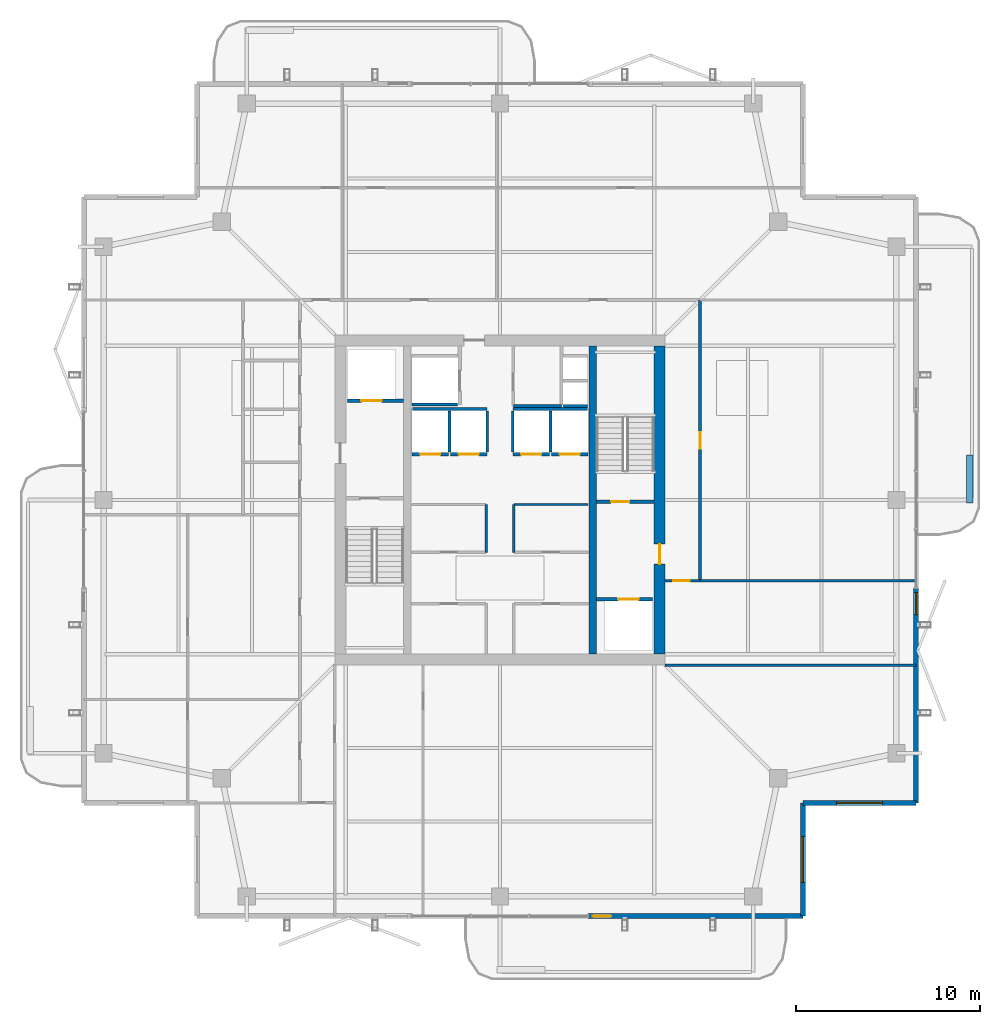
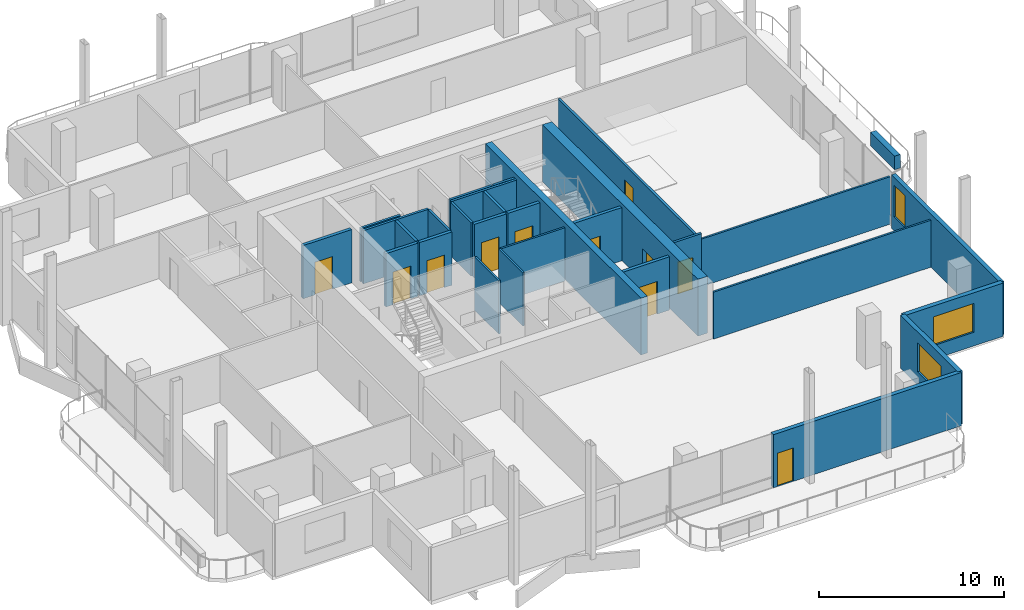
# One storey, part 15 of 20: 30 walls, 11 doors, 3 windows, 14 openings.
"""IFC4 building model written with IfcOpenShell, lengths in metres."""

import ifcopenshell
import ifcopenshell.guid

model = None  # the IFC model being written
_history = None  # IfcOwnerHistory: only IFC2X3 demands one
_inside = {}  # id of a spatial element -> (the spatial element, [elements in it])
_under = {}  # id of a project, library or spatial element -> (it, [spatial elements below it])
_declared = {}  # id of a project -> (the project, [libraries it declares])
_typed = {}  # id of a type object -> (the type object, [elements of that type])
_made_of = {}  # id of a material, layer set ... -> (it, [elements and type objects made of it])


def new_model(schema):
    """Start an empty IFC model of exactly this schema.

    Asked for "IFC4X3", IfcOpenShell would pick the latest addendum, in which some entities
    have other attributes; the version numbers below select the first issue.
    IFC2X3 requires an IfcOwnerHistory on every rooted entity: one is made here for all.
    """
    global model, _history
    if schema == "IFC4X3":
        model = ifcopenshell.file(schema_version=(4, 3, 0, 0))
    else:
        model = ifcopenshell.file(schema=schema)
    _inside.clear()
    _under.clear()
    _declared.clear()
    _typed.clear()
    _made_of.clear()
    _history = None
    if model.schema == "IFC2X3":
        org = make("IfcOrganization", Name="unknown")
        user = make(
            "IfcPersonAndOrganization",
            ThePerson=make("IfcPerson", FamilyName="unknown"),
            TheOrganization=org,
        )
        app = make(
            "IfcApplication",
            ApplicationDeveloper=org,
            Version="unknown",
            ApplicationFullName="unknown",
            ApplicationIdentifier="unknown",
        )
        _history = make(
            "IfcOwnerHistory",
            OwningUser=user,
            OwningApplication=app,
            ChangeAction="ADDED",
            CreationDate=0,
        )
    return model


def make(cls, **values):
    """One entity of the class cls with the attributes given. An attribute that is None is left unset."""
    return model.create_entity(
        cls, **{name: value for name, value in values.items() if value is not None}
    )


def rooted(cls, **values):
    """An entity with a GlobalId (a new one), such as an element, a storey or a relation."""
    return make(cls, GlobalId=ifcopenshell.guid.new(), OwnerHistory=_history, **values)


def si_unit(unit_type, name, prefix=None):
    """IfcSIUnit, for example si_unit("LENGTHUNIT", "METRE", prefix="MILLI")."""
    return make("IfcSIUnit", UnitType=unit_type, Prefix=prefix, Name=name)


def assignment(units):
    """IfcUnitAssignment: the units of a project."""
    return None if units is None else make("IfcUnitAssignment", Units=units)


def point(xyz):
    """IfcCartesianPoint."""
    return None if xyz is None else make("IfcCartesianPoint", Coordinates=xyz)


def direction(xyz):
    """IfcDirection."""
    return None if xyz is None else make("IfcDirection", DirectionRatios=xyz)


def frame(location, z_axis=None, x_axis=None):
    """IfcAxis2Placement3D, a coordinate frame: its origin and axes. An axis left out is left unset."""
    return make(
        "IfcAxis2Placement3D",
        Location=point(location),
        Axis=direction(z_axis),
        RefDirection=direction(x_axis),
    )


def frame_2d(location, x_axis=None):
    """IfcAxis2Placement2D, a coordinate frame in the plane: its origin and x axis."""
    return make(
        "IfcAxis2Placement2D", Location=point(location), RefDirection=direction(x_axis)
    )


def origin():
    """The frame at (0, 0, 0) with its axes left unset."""
    return frame((0.0, 0.0, 0.0))


def place(relative_to, where):
    """IfcLocalPlacement: puts the frame where relative to a parent placement (None: the world)."""
    return make(
        "IfcLocalPlacement", PlacementRelTo=relative_to, RelativePlacement=where
    )


def context(
    kind, dimensions, precision=None, world=None, true_north=None, identifier=None
):
    """IfcGeometricRepresentationContext, for example the 3D "Model" context."""
    return make(
        "IfcGeometricRepresentationContext",
        ContextIdentifier=identifier,
        ContextType=kind,
        CoordinateSpaceDimension=dimensions,
        Precision=precision,
        WorldCoordinateSystem=world,
        TrueNorth=true_north,
    )


def subcontext(parent, identifier, kind, view, scale=None):
    """IfcGeometricRepresentationSubContext, for example "Body" below "Model"."""
    return make(
        "IfcGeometricRepresentationSubContext",
        ContextIdentifier=identifier,
        ContextType=kind,
        ParentContext=parent,
        TargetScale=scale,
        TargetView=view,
    )


def project(units=None, contexts=None):
    """IfcProject with its units and contexts."""
    return rooted(
        "IfcProject",
        Name="project",
        RepresentationContexts=contexts,
        UnitsInContext=assignment(units),
    )


def spatial(cls, under=None, at=None, **own):
    """A site, building, storey or space (cls), placed at a placement, below another one or the project."""
    s = rooted(cls, ObjectPlacement=at, **own)
    if under is not None:
        _under.setdefault(under.id(), (under, []))[1].append(s)
    return s


def profile(cls, at=None, kind="AREA", **sizes):
    """A parametric profile (cls). Its sizes go by their IFC names, for example OverallWidth=200.0."""
    return make(cls, ProfileType=kind, Position=at, **sizes)


def rectangle(**sizes):
    """IfcRectangleProfileDef."""
    return profile("IfcRectangleProfileDef", **sizes)


def extrude(swept, where, along, depth):
    """IfcExtrudedAreaSolid: the profile swept, set in the frame where, extruded along a direction by depth."""
    return make(
        "IfcExtrudedAreaSolid",
        SweptArea=swept,
        Position=where,
        ExtrudedDirection=direction(along),
        Depth=depth,
    )


def shape(context_of_items, identifier, shape_type, items):
    """IfcShapeRepresentation: the items that make up one representation, for example the "Body"."""
    return make(
        "IfcShapeRepresentation",
        ContextOfItems=context_of_items,
        RepresentationIdentifier=identifier,
        RepresentationType=shape_type,
        Items=items,
    )


def material(Name=None, Category=None):
    """IfcMaterial."""
    return make("IfcMaterial", Name=Name, Category=Category)


def layer(
    of_material, thickness, ventilated=None, Name=None, Category=None, Priority=None
):
    """IfcMaterialLayer: one layer of a wall or slab, of a material (None: an air gap)."""
    return make(
        "IfcMaterialLayer",
        Material=of_material,
        LayerThickness=thickness,
        IsVentilated=ventilated,
        Name=Name,
        Category=Category,
        Priority=Priority,
    )


def layer_set(layers, Name=None):
    """IfcMaterialLayerSet."""
    return make("IfcMaterialLayerSet", MaterialLayers=layers, LayerSetName=Name)


def made_of(thing, what):
    """Note that an element or type object is made of a material, layer set ...; save() writes the relation."""
    if what is not None:
        _made_of.setdefault(what.id(), (what, []))[1].append(thing)
    return thing


def type_object(cls, material=None, **own):
    """A type object (cls), such as IfcWallType, which elements share."""
    return made_of(rooted(cls, **own), material)


def element(
    cls,
    number,
    at=None,
    inside=None,
    cuts=None,
    type_object=None,
    material=None,
    context=None,
    identifier="Body",
    shape_type=None,
    held_by="IfcProductDefinitionShape",
    body=None,
    shapes=None,
    **own,
):
    """One element of the class cls, such as IfcWall. Its Tag is "e" and its number.

    at: its placement. inside: the storey or other place that contains it. cuts: it is an
    opening in that element (IfcRelVoidsElement). A single representation is given by context,
    identifier, shape_type and body (its items); several are given by shapes. held_by: the class
    of the entity that holds the representations. save() writes the other relations.
    """
    e = rooted(cls, Tag="e%d" % number, ObjectPlacement=at, **own)
    if body is not None:
        shapes = [shape(context, identifier, shape_type, body)]
    if shapes is not None:
        e.Representation = make(held_by, Representations=shapes)
    if inside is not None:
        _inside.setdefault(inside.id(), (inside, []))[1].append(e)
    if cuts is not None:
        rooted(
            "IfcRelVoidsElement", RelatingBuildingElement=cuts, RelatedOpeningElement=e
        )
    if type_object is not None:
        _typed.setdefault(type_object.id(), (type_object, []))[1].append(e)
    return made_of(e, material)


def fill(opening, filler):
    """IfcRelFillsElement: the door or window that sits in an opening."""
    return rooted(
        "IfcRelFillsElement",
        RelatingOpeningElement=opening,
        RelatedBuildingElement=filler,
    )


def aggregate(whole, parts):
    """IfcRelAggregates: a whole, such as a stair, and the parts it consists of."""
    return rooted("IfcRelAggregates", RelatingObject=whole, RelatedObjects=parts)


def save(model, path):
    """Write the relations noted so far, then the file.

    IfcRelAggregates (storeys below a building ...), IfcRelContainedInSpatialStructure (elements
    in a storey), IfcRelDefinesByType, IfcRelAssociatesMaterial and IfcRelDeclares: one each for
    every whole, place, type object, material and project.
    """
    for whole, parts in _under.values():
        aggregate(whole, parts)
    for where, things in _inside.values():
        rooted(
            "IfcRelContainedInSpatialStructure",
            RelatedElements=things,
            RelatingStructure=where,
        )
    for kind, things in _typed.values():
        rooted("IfcRelDefinesByType", RelatedObjects=things, RelatingType=kind)
    for what, things in _made_of.values():
        rooted("IfcRelAssociatesMaterial", RelatedObjects=things, RelatingMaterial=what)
    for by, libraries in _declared.values():
        rooted("IfcRelDeclares", RelatingContext=by, RelatedDefinitions=libraries)
    model.write(path)


model = new_model("IFC4")

# Units and contexts
model_context = context("Model", 3, precision=1e-05, world=origin(), true_north=direction((0.0, 1.0)))
body_context = subcontext(model_context, "Body", "Model", "MODEL_VIEW")
ifc_project = project(units=[si_unit("LENGTHUNIT", "METRE"), si_unit("AREAUNIT", "SQUARE_METRE"), si_unit("VOLUMEUNIT", "CUBIC_METRE"), si_unit("PLANEANGLEUNIT", "RADIAN"), si_unit("MASSUNIT", "GRAM", prefix="KILO")], contexts=[model_context])

# Site, building, storey
site_placement = place(None, origin())
site = spatial("IfcSite", under=ifc_project, at=site_placement, CompositionType="ELEMENT")
building_placement = place(site_placement, origin())
building = spatial("IfcBuilding", under=site, at=building_placement, Name="Belovzor Exchange Tower", CompositionType="ELEMENT")
storey_placement = place(building_placement, frame((0.0, 0.0, 299.25)))
storey = spatial("IfcBuildingStorey", under=building, at=storey_placement, Name="L74", CompositionType="ELEMENT", Elevation=299.25)

# Walls
ifc_material_1 = material(Name="Acoustic Plasterboard on Galvanised Studs", Category="gypsum")
ifc_layer_1 = layer(ifc_material_1, 0.1201171875)
ifc_layer_set_1 = layer_set([ifc_layer_1], Name="Acoustic Plasterboard on Galvanised Studs")
wall_type_1 = type_object("IfcWallType", Name="Acoustic Double-Stud Partition Wall 120", PredefinedType="PARTITIONING", material=ifc_layer_set_1)
wall_1_placement = place(storey_placement, frame((37.800048828125, 19.800048828125, 0.0), z_axis=(0.0, 0.0, 1.0), x_axis=(1.0, 0.0, 0.0)))
element("IfcWall", 1, at=wall_1_placement, inside=storey, type_object=wall_type_1, Name="W-P120 Partition Wall W-L74-ESS", PredefinedType="PARTITIONING", context=body_context, shape_type="SweptSolid", body=[
    extrude(rectangle(XDim=13.669921875, YDim=0.1201171875, at=frame_2d((6.8349609375, 0.0))), origin(), (0.0, 0.0, 1.0), 3.094970703125),
])
wall_2_placement = place(storey_placement, frame((39.699951171875, 24.39990234375, 0.0), z_axis=(0.0, 0.0, 1.0), x_axis=(1.0, 0.0, 0.0)))
element("IfcWall", 2, at=wall_2_placement, inside=storey, type_object=wall_type_1, Name="W-P120 Partition Wall W-L74-ESN", PredefinedType="PARTITIONING", context=body_context, shape_type="SweptSolid", body=[
    extrude(rectangle(XDim=11.77001953125, YDim=0.1201171875, at=frame_2d((5.885009765625, 0.0))), origin(), (0.0, 0.0, 1.0), 3.135009765625),
])
ifc_material_2 = material(Name="Fire-Rated Plasterboard on Galvanised Studs", Category="gypsum")
ifc_layer_2 = layer(ifc_material_2, 0.1201171875)
ifc_layer_set_2 = layer_set([ifc_layer_2], Name="Fire-Rated Plasterboard on Galvanised Studs")
wall_type_2 = type_object("IfcWallType", Name="Fire-Rated Double-Stud Partition Wall 120", PredefinedType="PARTITIONING", material=ifc_layer_set_2)
wall_3_placement = place(storey_placement, frame((28.050048828125, 25.949951171875, 0.0), z_axis=(0.0, 0.0, 1.0), x_axis=(0.0, 1.0, 0.0)))
element("IfcWall", 3, at=wall_3_placement, inside=storey, type_object=wall_type_2, Name="W-P120F Partition Wall W-CRM-L74-WE", PredefinedType="PARTITIONING", context=body_context, shape_type="SweptSolid", body=[
    extrude(rectangle(XDim=2.60009765625, YDim=0.1201171875, at=frame_2d((1.300048828125, 0.0))), origin(), (0.0, 0.0, 1.0), 3.510009765625),
])
wall_4_placement = place(storey_placement, frame((29.550048828125, 28.550048828125, 0.0), z_axis=(0.0, 0.0, 1.0), x_axis=(1.0, 0.0, 0.0)))
element("IfcWall", 4, at=wall_4_placement, inside=storey, type_object=wall_type_2, Name="W-P120F Partition Wall W-CRM-L74-EN", PredefinedType="PARTITIONING", context=body_context, shape_type="SweptSolid", body=[
    extrude(rectangle(XDim=4.050048828125, YDim=0.1201171875, at=frame_2d((2.02490234375, 0.0))), origin(), (0.0, 0.0, 1.0), 3.510009765625),
])
wall_5_placement = place(storey_placement, frame((29.550048828125, 25.949951171875, 0.0), z_axis=(0.0, 0.0, 1.0), x_axis=(0.0, 1.0, 0.0)))
element("IfcWall", 5, at=wall_5_placement, inside=storey, type_object=wall_type_2, Name="W-P120F Partition Wall W-CRM-L74-EW", PredefinedType="PARTITIONING", context=body_context, shape_type="SweptSolid", body=[
    extrude(rectangle(XDim=2.60009765625, YDim=0.1201171875, at=frame_2d((1.300048828125, 0.0))), origin(), (0.0, 0.0, 1.0), 3.510009765625),
])
ifc_material_3 = material(Name="Fire-Rated Gypsum Block and Mineral Wool", Category="gypsum")
ifc_layer_3 = layer(ifc_material_3, 0.14990234375)
ifc_layer_set_3 = layer_set([ifc_layer_3], Name="Fire-Rated Gypsum Block and Mineral Wool")
wall_type_3 = type_object("IfcWallType", Name="Fire-Rated Gypsum Block Corridor Wall 150", PredefinedType="PARTITIONING", material=ifc_layer_set_3)
wall_6_placement = place(storey_placement, frame((29.52490234375, 33.925048828125, 0.0), z_axis=(0.0, 0.0, 1.0), x_axis=(1.0, 0.0, 0.0)))
element("IfcWall", 6, at=wall_6_placement, inside=storey, type_object=wall_type_3, Name="W-P150 Partition Wall W-CRV-L74-S", PredefinedType="PARTITIONING", context=body_context, shape_type="SweptSolid", body=[
    extrude(rectangle(XDim=2.625, YDim=0.14990234375, at=frame_2d((1.3125, 0.0))), origin(), (0.0, 0.0, 1.0), 3.510009765625),
])

# Wall, opening, door
wall_7_placement = place(storey_placement, frame((37.800048828125, 24.39990234375, 0.0), z_axis=(0.0, 0.0, 1.0), x_axis=(1.0, 0.0, 0.0)))
wall_7 = element("IfcWall", 7, at=wall_7_placement, inside=storey, type_object=wall_type_3, Name="W-P150 Partition Wall W-L74-CE-END", PredefinedType="PARTITIONING", context=body_context, shape_type="SweptSolid", body=[
    extrude(rectangle(XDim=1.89990234375, YDim=0.14990234375, at=frame_2d((0.949951171875, 0.0))), origin(), (0.0, 0.0, 1.0), 3.510009765625),
])
opening_1_placement = place(wall_7_placement, frame((0.449951171875, 0.0, 0.0)))
opening_1 = element("IfcOpeningElement", 8, at=opening_1_placement, cuts=wall_7, Name="Opening D-FD60-090", PredefinedType="OPENING", context=body_context, shape_type="SweptSolid", body=[
    extrude(rectangle(XDim=0.89990234375, YDim=2.10009765625, at=frame_2d((0.449951171875, 1.050048828125))), frame((0.0, 0.0849609375, 0.0), z_axis=(0.0, -1.0, 0.0), x_axis=(1.0, 0.0, 0.0)), (0.0, 0.0, 1.0), 0.169921875),
])
ifc_material_4 = material(Name="Acoustic Timber Fire Leaf", Category="wood")
door_type_1 = type_object("IfcDoorType", Name="Core Service & Restroom Fire Door 900x2100", OperationType="NOTDEFINED", PredefinedType="DOOR", material=ifc_material_4)
door_1_placement = place(opening_1_placement, origin())
door_1 = element("IfcDoor", 9, at=door_1_placement, inside=storey, type_object=door_type_1, Name="D-FD60-090 Core Service & Restroom Fire Door 900x2100", OperationType="SINGLE_SWING_LEFT", OverallHeight=2.10009765625, OverallWidth=0.89990234375, PredefinedType="DOOR", context=body_context, shape_type="SweptSolid", body=[
    extrude(rectangle(XDim=0.89990234375, YDim=2.10009765625, at=frame_2d((0.449951171875, 1.050048828125))), frame((0.0, 0.02490234375, 0.0), z_axis=(0.0, -1.0, 0.0), x_axis=(1.0, 0.0, 0.0)), (0.0, 0.0, 1.0), 0.050048828125),
])
fill(opening_1, door_1)

wall_8_placement = place(storey_placement, frame((39.699951171875, 24.39990234375, 0.0), z_axis=(0.0, 0.0, 1.0), x_axis=(0.0, 1.0, 0.0)))
wall_8 = element("IfcWall", 10, at=wall_8_placement, inside=storey, type_object=wall_type_3, Name="W-P150 Partition Wall W-L74-CE", PredefinedType="PARTITIONING", context=body_context, shape_type="SweptSolid", body=[
    extrude(rectangle(XDim=15.300048828125, YDim=0.14990234375, at=frame_2d((7.64990234375, 0.0))), origin(), (0.0, 0.0, 1.0), 3.094970703125),
])
opening_2_placement = place(wall_8_placement, frame((7.199951171875, 0.0, 0.0)))
opening_2 = element("IfcOpeningElement", 11, at=opening_2_placement, cuts=wall_8, Name="Opening D-INT-090", PredefinedType="OPENING", context=body_context, shape_type="SweptSolid", body=[
    extrude(rectangle(XDim=0.89990234375, YDim=2.10009765625, at=frame_2d((0.449951171875, 1.050048828125))), frame((0.0, 0.0849609375, 0.0), z_axis=(0.0, -1.0, 0.0), x_axis=(1.0, 0.0, 0.0)), (0.0, 0.0, 1.0), 0.169921875),
])
ifc_material_5 = material(Name="Veneered Hardwood Acoustic Leaf", Category="wood")
door_type_2 = type_object("IfcDoorType", Name="Trading Suite Acoustic Single Door 900x2100", OperationType="NOTDEFINED", PredefinedType="DOOR", material=ifc_material_5)
door_2_placement = place(opening_2_placement, origin())
door_2 = element("IfcDoor", 12, at=door_2_placement, inside=storey, type_object=door_type_2, Name="D-INT-090 Trading Suite Acoustic Single Door 900x2100", OperationType="SINGLE_SWING_RIGHT", OverallHeight=2.10009765625, OverallWidth=0.89990234375, PredefinedType="DOOR", context=body_context, shape_type="SweptSolid", body=[
    extrude(rectangle(XDim=0.89990234375, YDim=2.10009765625, at=frame_2d((0.449951171875, 1.050048828125))), frame((0.0, 0.02490234375, 0.0), z_axis=(0.0, -1.0, 0.0), x_axis=(1.0, 0.0, 0.0)), (0.0, 0.0, 1.0), 0.050048828125),
])
fill(opening_2, door_2)

# Wall, opening, window
ifc_material_6 = material(Name="Precast concrete C40/50", Category="concrete")
ifc_layer_4 = layer(ifc_material_6, 0.280029296875)
ifc_layer_set_4 = layer_set([ifc_layer_4], Name="Precast concrete C40/50")
wall_type_4 = type_object("IfcWallType", Name="Precast Concrete Notched Corner Frame Wall 280", PredefinedType="SOLIDWALL", material=ifc_layer_set_4)
wall_9_placement = place(storey_placement, frame((51.469970703125, 12.300048828125, 0.0), z_axis=(0.0, 0.0, 1.0), x_axis=(-1.0, 0.0, 0.0)))
wall_9 = element("IfcWall", 13, at=wall_9_placement, inside=storey, type_object=wall_type_4, Name="W-CRN280 Precast Concrete Notched Corner Frame Wall 280 L74", PredefinedType="SOLIDWALL", context=body_context, shape_type="SweptSolid", body=[
    extrude(rectangle(XDim=6.169921875, YDim=0.280029296875, at=frame_2d((3.0849609375, 0.0))), origin(), (0.0, 0.0, 1.0), 3.510009765625),
])
opening_3_placement = place(wall_9_placement, frame((1.8349609375, 0.0, 0.89990234375)))
opening_3 = element("IfcOpeningElement", 14, at=opening_3_placement, cuts=wall_9, Name="Opening WN-CRN250", PredefinedType="OPENING", context=body_context, shape_type="SweptSolid", body=[
    extrude(rectangle(XDim=2.5, YDim=1.89990234375, at=frame_2d((1.25, 0.949951171875))), frame((0.0, 0.14990234375, 0.0), z_axis=(0.0, -1.0, 0.0), x_axis=(1.0, 0.0, 0.0)), (0.0, 0.0, 1.0), 0.300048828125),
])
ifc_material_7 = material(Name="Thermally Broken Aluminium and Triple Glazing", Category="aluminium")
window_type_1 = type_object("IfcWindowType", Name="Streamline Moderne Corner Wrap Ribbon Window 2500x1900", PartitioningType="SINGLE_PANEL", PredefinedType="WINDOW", material=ifc_material_7)
window_1_placement = place(opening_3_placement, origin())
window_1 = element("IfcWindow", 15, at=window_1_placement, inside=storey, type_object=window_type_1, Name="WN-CRN250 Streamline Moderne Corner Wrap Ribbon Window 2500x1900", OverallHeight=1.89990234375, OverallWidth=2.5, PartitioningType="SINGLE_PANEL", PredefinedType="WINDOW", context=body_context, shape_type="SweptSolid", body=[
    extrude(rectangle(XDim=2.5, YDim=1.89990234375, at=frame_2d((1.25, 0.949951171875))), frame((0.0, 0.030029296875, 0.0), z_axis=(0.0, -1.0, 0.0), x_axis=(1.0, 0.0, 0.0)), (0.0, 0.0, 1.0), 0.06005859375),
])
fill(opening_3, window_1)

wall_10_placement = place(storey_placement, frame((45.300048828125, 12.300048828125, 0.0), z_axis=(0.0, 0.0, 1.0), x_axis=(0.0, -1.0, 0.0)))
wall_10 = element("IfcWall", 16, at=wall_10_placement, inside=storey, type_object=wall_type_4, Name="W-CRN280 Precast Concrete Notched Corner Frame Wall 280 L74", PredefinedType="SOLIDWALL", context=body_context, shape_type="SweptSolid", body=[
    extrude(rectangle(XDim=6.170166015625, YDim=0.280029296875, at=frame_2d((3.0849609375, 0.0))), origin(), (0.0, 0.0, 1.0), 3.510009765625),
])
opening_4_placement = place(wall_10_placement, frame((1.8349609375, 0.0, 0.89990234375)))
opening_4 = element("IfcOpeningElement", 17, at=opening_4_placement, cuts=wall_10, Name="Opening WN-CRN250", PredefinedType="OPENING", context=body_context, shape_type="SweptSolid", body=[
    extrude(rectangle(XDim=2.5, YDim=1.89990234375, at=frame_2d((1.25, 0.949951171875))), frame((0.0, 0.14990234375, 0.0), z_axis=(0.0, -1.0, 0.0), x_axis=(1.0, 0.0, 0.0)), (0.0, 0.0, 1.0), 0.300048828125),
])
window_2_placement = place(opening_4_placement, origin())
window_2 = element("IfcWindow", 18, at=window_2_placement, inside=storey, type_object=window_type_1, Name="WN-CRN250 Streamline Moderne Corner Wrap Ribbon Window 2500x1900", OverallHeight=1.89990234375, OverallWidth=2.5, PartitioningType="SINGLE_PANEL", PredefinedType="WINDOW", context=body_context, shape_type="SweptSolid", body=[
    extrude(rectangle(XDim=2.5, YDim=1.89990234375, at=frame_2d((1.25, 0.949951171875))), frame((0.0, 0.030029296875, 0.0), z_axis=(0.0, -1.0, 0.0), x_axis=(1.0, 0.0, 0.0)), (0.0, 0.0, 1.0), 0.06005859375),
])
fill(opening_4, window_2)

# Wall, opening, door
ifc_material_8 = material(Name="Precast concrete C40/50", Category="concrete")
ifc_layer_5 = layer(ifc_material_8, 0.260009765625)
ifc_layer_set_5 = layer_set([ifc_layer_5], Name="Precast concrete C40/50")
wall_type_5 = type_object("IfcWallType", Name="Precast Concrete Perimeter Loggia Frame Wall 260", PredefinedType="SOLIDWALL", material=ifc_layer_set_5)
wall_11_placement = place(storey_placement, frame((45.300048828125, 6.1298828125, 0.0), z_axis=(0.0, 0.0, 1.0), x_axis=(-1.0, 0.0, 0.0)))
wall_11 = element("IfcWall", 19, at=wall_11_placement, inside=storey, type_object=wall_type_5, Name="W-EXT260 Precast Concrete Perimeter Loggia Frame Wall 260 L74", PredefinedType="SOLIDWALL", context=body_context, shape_type="SweptSolid", body=[
    extrude(rectangle(XDim=11.699951171875, YDim=0.260009765625, at=frame_2d((5.85009765625, 0.0))), origin(), (0.0, 0.0, 1.0), 3.510009765625),
])
opening_5_placement = place(wall_11_placement, frame((10.449951171875, 0.0, 0.0)))
opening_5 = element("IfcOpeningElement", 20, at=opening_5_placement, cuts=wall_11, Name="Opening D-BAL100", PredefinedType="OPENING", context=body_context, shape_type="SweptSolid", body=[
    extrude(rectangle(XDim=1.0, YDim=2.199951171875, at=frame_2d((0.5, 1.10009765625))), frame((0.0, 0.139892578125, 0.0), z_axis=(0.0, -1.0, 0.0), x_axis=(1.0, 0.0, 0.0)), (0.0, 0.0, 1.0), 0.280029296875),
])
ifc_material_9 = material(Name="Thermally Broken Anodised Aluminium and Laminated Glass", Category="aluminium")
door_type_3 = type_object("IfcDoorType", Name="Planted Loggia Terrace Glazed Door 1000x2200", OperationType="SINGLE_SWING_LEFT", PredefinedType="DOOR", material=ifc_material_9)
door_3_placement = place(opening_5_placement, origin())
door_3 = element("IfcDoor", 21, at=door_3_placement, inside=storey, type_object=door_type_3, Name="D-BAL100 Balcony Terrace Door L74 S", OperationType="SINGLE_SWING_LEFT", OverallHeight=2.199951171875, OverallWidth=1.0, PredefinedType="DOOR", context=body_context, shape_type="SweptSolid", body=[
    extrude(rectangle(XDim=1.0, YDim=2.199951171875, at=frame_2d((0.5, 1.10009765625))), frame((0.0, 0.02490234375, 0.0), z_axis=(0.0, -1.0, 0.0), x_axis=(1.0, 0.0, 0.0)), (0.0, 0.0, 1.0), 0.050048828125),
])
fill(opening_5, door_3)

# Wall, opening, window
wall_12_placement = place(storey_placement, frame((51.469970703125, 24.0, 0.0), z_axis=(0.0, 0.0, 1.0), x_axis=(0.0, -1.0, 0.0)))
wall_12 = element("IfcWall", 22, at=wall_12_placement, inside=storey, type_object=wall_type_5, Name="W-EXT260 Precast Concrete Perimeter Loggia Frame Wall 260 L74", PredefinedType="SOLIDWALL", context=body_context, shape_type="SweptSolid", body=[
    extrude(rectangle(XDim=11.699951171875, YDim=0.260009765625, at=frame_2d((5.85009765625, 0.0))), origin(), (0.0, 0.0, 1.0), 3.510009765625),
])
opening_6_placement = place(wall_12_placement, frame((0.25, 0.0, 0.89990234375)))
opening_6 = element("IfcOpeningElement", 23, at=opening_6_placement, cuts=wall_12, Name="Opening WN-CRN120", PredefinedType="OPENING", context=body_context, shape_type="SweptSolid", body=[
    extrude(rectangle(XDim=1.199951171875, YDim=2.10009765625, at=frame_2d((0.60009765625, 1.050048828125))), frame((0.0, 0.139892578125, 0.0), z_axis=(0.0, -1.0, 0.0), x_axis=(1.0, 0.0, 0.0)), (0.0, 0.0, 1.0), 0.280029296875),
])
ifc_material_10 = material(Name="Thermally Broken Aluminium and Triple Glazing", Category="aluminium")
window_type_2 = type_object("IfcWindowType", Name="Streamline Notched Corner Window 1200x2100", PartitioningType="SINGLE_PANEL", PredefinedType="WINDOW", material=ifc_material_10)
window_3_placement = place(opening_6_placement, origin())
window_3 = element("IfcWindow", 24, at=window_3_placement, inside=storey, type_object=window_type_2, Name="WN-CRN120 Streamline Notched Corner Window 1200x2100", OverallHeight=2.10009765625, OverallWidth=1.199951171875, PartitioningType="SINGLE_PANEL", PredefinedType="WINDOW", context=body_context, shape_type="SweptSolid", body=[
    extrude(rectangle(XDim=1.199951171875, YDim=2.10009765625, at=frame_2d((0.60009765625, 1.050048828125))), frame((0.0, 0.030029296875, 0.0), z_axis=(0.0, -1.0, 0.0), x_axis=(1.0, 0.0, 0.0)), (0.0, 0.0, 1.0), 0.06005859375),
])
fill(opening_6, window_3)

# Walls
ifc_material_11 = material(Name="Precast concrete C40/50", Category="concrete")
ifc_layer_6 = layer(ifc_material_11, 0.35009765625)
ifc_layer_set_6 = layer_set([ifc_layer_6], Name="Precast concrete C40/50")
wall_type_6 = type_object("IfcWallType", Name="Precast Concrete Structural Tree Planter Trough 350", PredefinedType="PARAPET", material=ifc_layer_set_6)
wall_13_placement = place(storey_placement, frame((54.39990234375, 28.64990234375, 0.0), z_axis=(0.0, 0.0, 1.0), x_axis=(0.0, 1.0, 0.0)))
element("IfcWall", 25, at=wall_13_placement, inside=storey, type_object=wall_type_6, Name="PT-350 Precast Concrete Structural Tree Planter Trough 350 L74", PredefinedType="PARAPET", context=body_context, shape_type="SweptSolid", body=[
    extrude(rectangle(XDim=2.60009765625, YDim=0.35009765625, at=frame_2d((1.300048828125, 0.0))), origin(), (0.0, 0.0, 1.0), 0.89990234375),
])
ifc_material_12 = material(Name="Concrete C50/60", Category="concrete")
ifc_layer_7 = layer(ifc_material_12, 0.39990234375)
ifc_layer_set_7 = layer_set([ifc_layer_7], Name="Concrete C50/60")
wall_type_7 = type_object("IfcWallType", Name="Reinforced Concrete Core Internal Web Wall 400", PredefinedType="SHEAR", material=ifc_layer_set_7)
wall_14_placement = place(storey_placement, frame((33.85009765625, 20.39990234375, 0.0), z_axis=(0.0, 0.0, 1.0), x_axis=(0.0, 1.0, 0.0)))
element("IfcWall", 26, at=wall_14_placement, inside=storey, type_object=wall_type_7, Name="CW-W040 Core Internal Web Wall L74 ER", PredefinedType="SHEAR", context=body_context, shape_type="SweptSolid", body=[
    extrude(rectangle(XDim=16.800048828125, YDim=0.39990234375, at=frame_2d((8.39990234375, 0.0))), origin(), (0.0, 0.0, 1.0), 3.75),
])
ifc_material_13 = material(Name="Concrete C50/60", Category="concrete")
ifc_layer_8 = layer(ifc_material_13, 0.14990234375)
ifc_layer_set_8 = layer_set([ifc_layer_8], Name="Concrete C50/60")
wall_type_8 = type_object("IfcWallType", Name="Reinforced Concrete Core Riser Shear Wall 150", PredefinedType="SHEAR", material=ifc_layer_set_8)
wall_15_placement = place(storey_placement, frame((32.25, 33.925048828125, 0.0), z_axis=(0.0, 0.0, 1.0), x_axis=(1.0, 0.0, 0.0)))
element("IfcWall", 27, at=wall_15_placement, inside=storey, type_object=wall_type_8, Name="W-C150S Core Shaft Wall W-RSR-L74-S", PredefinedType="SHEAR", context=body_context, shape_type="SweptSolid", body=[
    extrude(rectangle(XDim=1.330078125, YDim=0.14990234375, at=frame_2d((0.6650390625, 0.0))), origin(), (0.0, 0.0, 1.0), 3.510009765625),
])
wall_16_placement = place(storey_placement, frame((24.0, 34.0, 0.0), z_axis=(0.0, 0.0, 1.0), x_axis=(1.0, 0.0, 0.0)))
element("IfcWall", 28, at=wall_16_placement, inside=storey, type_object=wall_type_8, Name="W-C150S Core Shaft Wall W-SH-L74-SL-01S", PredefinedType="SHEAR", context=body_context, shape_type="SweptSolid", body=[
    extrude(rectangle(XDim=2.47998046875, YDim=0.14990234375, at=frame_2d((1.239990234375, 0.0))), origin(), (0.0, 0.0, 1.0), 3.510009765625),
])
for number, where, z_axis, x_axis, name in (
    (29, (24.02001953125, 33.760009765625, 0.0), (0.0, 0.0, 1.0), (1.0, 0.0, 0.0), "W-C150S Core Shaft Wall W-SHB-L74-PLH-NW"),
    (30, (29.5, 33.760009765625, 0.0), (0.0, 0.0, 1.0), (1.0, 0.0, 0.0), "W-C150S Core Shaft Wall W-SHB-L74-PLH-NE"),
):
    element("IfcWall", number, at=place(storey_placement, frame(where, z_axis=z_axis, x_axis=x_axis)), inside=storey, type_object=wall_type_8, Name=name, PredefinedType="SHEAR", context=body_context, shape_type="SweptSolid", body=[
        extrude(rectangle(XDim=4.080078125, YDim=0.14990234375, at=frame_2d((2.0400390625, 0.0))), origin(), (0.0, 0.0, 1.0), 3.510009765625),
    ])
for number, where, z_axis, x_axis, name in (
    (31, (26.050048828125, 31.419921875, 0.0), (0.0, 0.0, 1.0), (0.0, 1.0, 0.0), "W-C150S Core Shaft Wall W-SHD-L74-PLH-1"),
    (32, (28.10009765625, 31.419921875, 0.0), (0.0, 0.0, 1.0), (0.0, 1.0, 0.0), "W-C150S Core Shaft Wall W-SHD-L74-PLH-2"),
    (33, (29.5, 31.419921875, 0.0), (0.0, 0.0, 1.0), (0.0, 1.0, 0.0), "W-C150S Core Shaft Wall W-SHD-L74-PLH-3"),
    (34, (31.550048828125, 31.419921875, 0.0), (0.0, 0.0, 1.0), (0.0, 1.0, 0.0), "W-C150S Core Shaft Wall W-SHD-L74-PLH-4"),
):
    element("IfcWall", number, at=place(storey_placement, frame(where, z_axis=z_axis, x_axis=x_axis)), inside=storey, type_object=wall_type_8, Name=name, PredefinedType="SHEAR", context=body_context, shape_type="SweptSolid", body=[
        extrude(rectangle(XDim=2.239990234375, YDim=0.14990234375, at=frame_2d((1.1201171875, 0.0))), origin(), (0.0, 0.0, 1.0), 3.510009765625),
    ])

# Wall, opening, door
ifc_material_14 = material(Name="Concrete C50/60", Category="concrete")
ifc_layer_9 = layer(ifc_material_14, 0.199951171875)
ifc_layer_set_9 = layer_set([ifc_layer_9], Name="Concrete C50/60")
wall_type_9 = type_object("IfcWallType", Name="Reinforced Concrete Core Shaft Shear Wall 200", PredefinedType="SHEAR", material=ifc_layer_set_9)
wall_17_placement = place(storey_placement, frame((34.050048828125, 28.699951171875, 0.0), z_axis=(0.0, 0.0, 1.0), x_axis=(1.0, 0.0, 0.0)))
wall_17 = element("IfcWall", 35, at=wall_17_placement, inside=storey, type_object=wall_type_9, Name="W-C200S Core Shaft Wall W-CORE-L74-FFLE2", PredefinedType="SHEAR", context=body_context, shape_type="SweptSolid", body=[
    extrude(rectangle(XDim=3.14990234375, YDim=0.199951171875, at=frame_2d((1.574951171875, 0.0))), origin(), (0.0, 0.0, 1.0), 3.510009765625),
])
opening_7_placement = place(wall_17_placement, frame((0.800048828125, 0.0, 0.0)))
opening_7 = element("IfcOpeningElement", 36, at=opening_7_placement, cuts=wall_17, Name="Opening D-FD90-100", PredefinedType="OPENING", context=body_context, shape_type="SweptSolid", body=[
    extrude(rectangle(XDim=1.0, YDim=2.10009765625, at=frame_2d((0.5, 1.050048828125))), frame((0.0, 0.10986328125, 0.0), z_axis=(0.0, -1.0, 0.0), x_axis=(1.0, 0.0, 0.0)), (0.0, 0.0, 1.0), 0.219970703125),
])
ifc_material_15 = material(Name="Fire-Rated Galvanised Steel Leaf", Category="steel")
door_type_4 = type_object("IfcDoorType", Name="Protected Stairwell Single Fire Door 1000x2100", OperationType="NOTDEFINED", PredefinedType="DOOR", material=ifc_material_15)
door_4_placement = place(opening_7_placement, origin())
door_4 = element("IfcDoor", 37, at=door_4_placement, inside=storey, type_object=door_type_4, Name="D-FD90-100 Protected Stairwell Single Fire Door 1000x2100", OperationType="SINGLE_SWING_LEFT", OverallHeight=2.10009765625, OverallWidth=1.0, PredefinedType="DOOR", context=body_context, shape_type="SweptSolid", body=[
    extrude(rectangle(XDim=1.0, YDim=2.10009765625, at=frame_2d((0.5, 1.050048828125))), frame((0.0, 0.02490234375, 0.0), z_axis=(0.0, -1.0, 0.0), x_axis=(1.0, 0.0, 0.0)), (0.0, 0.0, 1.0), 0.050048828125),
])
fill(opening_7, door_4)

wall_18_placement = place(storey_placement, frame((20.5, 34.199951171875, 0.0), z_axis=(0.0, 0.0, 1.0), x_axis=(1.0, 0.0, 0.0)))
wall_18 = element("IfcWall", 38, at=wall_18_placement, inside=storey, type_object=wall_type_9, Name="W-C200S Core Shaft Wall W-SH-L74-FFL-01", PredefinedType="SHEAR", context=body_context, shape_type="SweptSolid", body=[
    extrude(rectangle(XDim=3.050048828125, YDim=0.199951171875, at=frame_2d((1.52490234375, 0.0))), origin(), (0.0, 0.0, 1.0), 3.510009765625),
])
opening_8_placement = place(wall_18_placement, frame((0.75, 0.0, 0.0)))
opening_8 = element("IfcOpeningElement", 39, at=opening_8_placement, cuts=wall_18, Name="Opening LD-110", PredefinedType="OPENING", context=body_context, shape_type="SweptSolid", body=[
    extrude(rectangle(XDim=1.10009765625, YDim=2.14990234375, at=frame_2d((0.550048828125, 1.074951171875))), frame((0.0, 0.10986328125, 0.0), z_axis=(0.0, -1.0, 0.0), x_axis=(1.0, 0.0, 0.0)), (0.0, 0.0, 1.0), 0.219970703125),
])
ifc_material_16 = material(Name="Stainless Steel Grade 304", Category="steel")
door_type_5 = type_object("IfcDoorType", Name="Automated Stainless Steel Lift Landing Door 1100x2150", OperationType="SLIDING_TO_RIGHT", PredefinedType="DOOR", material=ifc_material_16)
door_5_placement = place(opening_8_placement, origin())
door_5 = element("IfcDoor", 40, at=door_5_placement, inside=storey, type_object=door_type_5, Name="LD-110 Automated Stainless Steel Lift Landing Door 1100x2150", OperationType="SLIDING_TO_RIGHT", OverallHeight=2.14990234375, OverallWidth=1.10009765625, PredefinedType="DOOR", context=body_context, shape_type="SweptSolid", body=[
    extrude(rectangle(XDim=1.10009765625, YDim=2.14990234375, at=frame_2d((0.550048828125, 1.074951171875))), frame((0.0, 0.02490234375, 0.0), z_axis=(0.0, -1.0, 0.0), x_axis=(1.0, 0.0, 0.0)), (0.0, 0.0, 1.0), 0.050048828125),
])
fill(opening_8, door_5)

wall_19_placement = place(storey_placement, frame((34.050048828125, 23.39990234375, 0.0), z_axis=(0.0, 0.0, 1.0), x_axis=(1.0, 0.0, 0.0)))
wall_19 = element("IfcWall", 41, at=wall_19_placement, inside=storey, type_object=wall_type_9, Name="W-C200S Core Shaft Wall W-SH-L74-FFL-02", PredefinedType="SHEAR", context=body_context, shape_type="SweptSolid", body=[
    extrude(rectangle(XDim=3.050048828125, YDim=0.199951171875, at=frame_2d((1.52490234375, 0.0))), origin(), (0.0, 0.0, 1.0), 3.510009765625),
])
opening_9_placement = place(wall_19_placement, frame((1.199951171875, 0.0, 0.0)))
opening_9 = element("IfcOpeningElement", 42, at=opening_9_placement, cuts=wall_19, Name="Opening LD-110", PredefinedType="OPENING", context=body_context, shape_type="SweptSolid", body=[
    extrude(rectangle(XDim=1.10009765625, YDim=2.14990234375, at=frame_2d((0.550048828125, 1.074951171875))), frame((0.0, 0.10986328125, 0.0), z_axis=(0.0, -1.0, 0.0), x_axis=(1.0, 0.0, 0.0)), (0.0, 0.0, 1.0), 0.219970703125),
])
door_6_placement = place(opening_9_placement, origin())
door_6 = element("IfcDoor", 43, at=door_6_placement, inside=storey, type_object=door_type_5, Name="LD-110 Automated Stainless Steel Lift Landing Door 1100x2150", OperationType="SLIDING_TO_RIGHT", OverallHeight=2.14990234375, OverallWidth=1.10009765625, PredefinedType="DOOR", context=body_context, shape_type="SweptSolid", body=[
    extrude(rectangle(XDim=1.10009765625, YDim=2.14990234375, at=frame_2d((0.550048828125, 1.074951171875))), frame((0.0, 0.02490234375, 0.0), z_axis=(0.0, -1.0, 0.0), x_axis=(1.0, 0.0, 0.0)), (0.0, 0.0, 1.0), 0.050048828125),
])
fill(opening_9, door_6)

wall_20_placement = place(storey_placement, frame((24.0, 31.300048828125, 0.0), z_axis=(0.0, 0.0, 1.0), x_axis=(1.0, 0.0, 0.0)))
wall_20 = element("IfcWall", 44, at=wall_20_placement, inside=storey, type_object=wall_type_9, Name="W-C200S Core Shaft Wall W-SH-L74-PL-H1", PredefinedType="SHEAR", context=body_context, shape_type="SweptSolid", body=[
    extrude(rectangle(XDim=2.0, YDim=0.199951171875, at=frame_2d((1.0, 0.0))), origin(), (0.0, 0.0, 1.0), 3.510009765625),
])
opening_10_placement = place(wall_20_placement, frame((0.449951171875, 0.0, 0.0)))
opening_10 = element("IfcOpeningElement", 45, at=opening_10_placement, cuts=wall_20, Name="Opening LD-110", PredefinedType="OPENING", context=body_context, shape_type="SweptSolid", body=[
    extrude(rectangle(XDim=1.10009765625, YDim=2.14990234375, at=frame_2d((0.550048828125, 1.074951171875))), frame((0.0, 0.10986328125, 0.0), z_axis=(0.0, -1.0, 0.0), x_axis=(1.0, 0.0, 0.0)), (0.0, 0.0, 1.0), 0.219970703125),
])
door_7_placement = place(opening_10_placement, origin())
door_7 = element("IfcDoor", 46, at=door_7_placement, inside=storey, type_object=door_type_5, Name="LD-110 Automated Stainless Steel Lift Landing Door 1100x2150", OperationType="SLIDING_TO_RIGHT", OverallHeight=2.14990234375, OverallWidth=1.10009765625, PredefinedType="DOOR", context=body_context, shape_type="SweptSolid", body=[
    extrude(rectangle(XDim=1.10009765625, YDim=2.14990234375, at=frame_2d((0.550048828125, 1.074951171875))), frame((0.0, 0.02490234375, 0.0), z_axis=(0.0, -1.0, 0.0), x_axis=(1.0, 0.0, 0.0)), (0.0, 0.0, 1.0), 0.050048828125),
])
fill(opening_10, door_7)

wall_21_placement = place(storey_placement, frame((26.10009765625, 31.300048828125, 0.0), z_axis=(0.0, 0.0, 1.0), x_axis=(1.0, 0.0, 0.0)))
wall_21 = element("IfcWall", 47, at=wall_21_placement, inside=storey, type_object=wall_type_9, Name="W-C200S Core Shaft Wall W-SH-L74-PL-H2", PredefinedType="SHEAR", context=body_context, shape_type="SweptSolid", body=[
    extrude(rectangle(XDim=2.0, YDim=0.199951171875, at=frame_2d((1.0, 0.0))), origin(), (0.0, 0.0, 1.0), 3.510009765625),
])
opening_11_placement = place(wall_21_placement, frame((0.449951171875, 0.0, 0.0)))
opening_11 = element("IfcOpeningElement", 48, at=opening_11_placement, cuts=wall_21, Name="Opening LD-110", PredefinedType="OPENING", context=body_context, shape_type="SweptSolid", body=[
    extrude(rectangle(XDim=1.10009765625, YDim=2.14990234375, at=frame_2d((0.550048828125, 1.074951171875))), frame((0.0, 0.10986328125, 0.0), z_axis=(0.0, -1.0, 0.0), x_axis=(1.0, 0.0, 0.0)), (0.0, 0.0, 1.0), 0.219970703125),
])
door_8_placement = place(opening_11_placement, origin())
door_8 = element("IfcDoor", 49, at=door_8_placement, inside=storey, type_object=door_type_5, Name="LD-110 Automated Stainless Steel Lift Landing Door 1100x2150", OperationType="SLIDING_TO_RIGHT", OverallHeight=2.14990234375, OverallWidth=1.10009765625, PredefinedType="DOOR", context=body_context, shape_type="SweptSolid", body=[
    extrude(rectangle(XDim=1.10009765625, YDim=2.14990234375, at=frame_2d((0.550048828125, 1.074951171875))), frame((0.0, 0.02490234375, 0.0), z_axis=(0.0, -1.0, 0.0), x_axis=(1.0, 0.0, 0.0)), (0.0, 0.0, 1.0), 0.050048828125),
])
fill(opening_11, door_8)

wall_22_placement = place(storey_placement, frame((29.5, 31.300048828125, 0.0), z_axis=(0.0, 0.0, 1.0), x_axis=(1.0, 0.0, 0.0)))
wall_22 = element("IfcWall", 50, at=wall_22_placement, inside=storey, type_object=wall_type_9, Name="W-C200S Core Shaft Wall W-SH-L74-PL-H3", PredefinedType="SHEAR", context=body_context, shape_type="SweptSolid", body=[
    extrude(rectangle(XDim=2.0, YDim=0.199951171875, at=frame_2d((1.0, 0.0))), origin(), (0.0, 0.0, 1.0), 3.510009765625),
])
opening_12_placement = place(wall_22_placement, frame((0.449951171875, 0.0, 0.0)))
opening_12 = element("IfcOpeningElement", 51, at=opening_12_placement, cuts=wall_22, Name="Opening LD-110", PredefinedType="OPENING", context=body_context, shape_type="SweptSolid", body=[
    extrude(rectangle(XDim=1.10009765625, YDim=2.14990234375, at=frame_2d((0.550048828125, 1.074951171875))), frame((0.0, 0.10986328125, 0.0), z_axis=(0.0, -1.0, 0.0), x_axis=(1.0, 0.0, 0.0)), (0.0, 0.0, 1.0), 0.219970703125),
])
door_9_placement = place(opening_12_placement, origin())
door_9 = element("IfcDoor", 52, at=door_9_placement, inside=storey, type_object=door_type_5, Name="LD-110 Automated Stainless Steel Lift Landing Door 1100x2150", OperationType="SLIDING_TO_RIGHT", OverallHeight=2.14990234375, OverallWidth=1.10009765625, PredefinedType="DOOR", context=body_context, shape_type="SweptSolid", body=[
    extrude(rectangle(XDim=1.10009765625, YDim=2.14990234375, at=frame_2d((0.550048828125, 1.074951171875))), frame((0.0, 0.02490234375, 0.0), z_axis=(0.0, -1.0, 0.0), x_axis=(1.0, 0.0, 0.0)), (0.0, 0.0, 1.0), 0.050048828125),
])
fill(opening_12, door_9)

wall_23_placement = place(storey_placement, frame((31.60009765625, 31.300048828125, 0.0), z_axis=(0.0, 0.0, 1.0), x_axis=(1.0, 0.0, 0.0)))
wall_23 = element("IfcWall", 53, at=wall_23_placement, inside=storey, type_object=wall_type_9, Name="W-C200S Core Shaft Wall W-SH-L74-PL-H4", PredefinedType="SHEAR", context=body_context, shape_type="SweptSolid", body=[
    extrude(rectangle(XDim=2.0, YDim=0.199951171875, at=frame_2d((1.0, 0.0))), origin(), (0.0, 0.0, 1.0), 3.510009765625),
])
opening_13_placement = place(wall_23_placement, frame((0.449951171875, 0.0, 0.0)))
opening_13 = element("IfcOpeningElement", 54, at=opening_13_placement, cuts=wall_23, Name="Opening LD-110", PredefinedType="OPENING", context=body_context, shape_type="SweptSolid", body=[
    extrude(rectangle(XDim=1.10009765625, YDim=2.14990234375, at=frame_2d((0.550048828125, 1.074951171875))), frame((0.0, 0.10986328125, 0.0), z_axis=(0.0, -1.0, 0.0), x_axis=(1.0, 0.0, 0.0)), (0.0, 0.0, 1.0), 0.219970703125),
])
door_10_placement = place(opening_13_placement, origin())
door_10 = element("IfcDoor", 55, at=door_10_placement, inside=storey, type_object=door_type_5, Name="LD-110 Automated Stainless Steel Lift Landing Door 1100x2150", OperationType="SLIDING_TO_RIGHT", OverallHeight=2.14990234375, OverallWidth=1.10009765625, PredefinedType="DOOR", context=body_context, shape_type="SweptSolid", body=[
    extrude(rectangle(XDim=1.10009765625, YDim=2.14990234375, at=frame_2d((0.550048828125, 1.074951171875))), frame((0.0, 0.02490234375, 0.0), z_axis=(0.0, -1.0, 0.0), x_axis=(1.0, 0.0, 0.0)), (0.0, 0.0, 1.0), 0.050048828125),
])
fill(opening_13, door_10)

ifc_material_17 = material(Name="Concrete C50/60", Category="concrete")
ifc_layer_10 = layer(ifc_material_17, 0.60009765625)
ifc_layer_set_10 = layer_set([ifc_layer_10], Name="Concrete C50/60")
wall_type_10 = type_object("IfcWallType", Name="Reinforced Concrete Core Shear Wall 600", PredefinedType="SHEAR", material=ifc_layer_set_10)
wall_24_placement = place(storey_placement, frame((37.5, 20.39990234375, 0.0), z_axis=(0.0, 0.0, 1.0), x_axis=(0.0, 1.0, 0.0)))
wall_24 = element("IfcWall", 56, at=wall_24_placement, inside=storey, type_object=wall_type_10, Name="CW-S060 Core Shear Wall L74 E", PredefinedType="SHEAR", context=body_context, shape_type="SweptSolid", body=[
    extrude(rectangle(XDim=16.800048828125, YDim=0.60009765625, at=frame_2d((8.39990234375, 0.0))), origin(), (0.0, 0.0, 1.0), 3.75),
])
opening_14_placement = place(wall_24_placement, frame((4.89990234375, 0.0, 0.0)))
opening_14 = element("IfcOpeningElement", 57, at=opening_14_placement, cuts=wall_24, Name="Opening D-FD90-110", PredefinedType="OPENING", context=body_context, shape_type="SweptSolid", body=[
    extrude(rectangle(XDim=1.10009765625, YDim=2.14990234375, at=frame_2d((0.550048828125, 1.074951171875))), frame((0.0, 0.31005859375, 0.0), z_axis=(0.0, -1.0, 0.0), x_axis=(1.0, 0.0, 0.0)), (0.0, 0.0, 1.0), 0.6201171875),
])
ifc_material_18 = material(Name="Fire-Rated Galvanised Steel Leaf", Category="steel")
door_type_6 = type_object("IfcDoorType", Name="Protected Escape Vestibule Fire Door 1100x2150", OperationType="NOTDEFINED", PredefinedType="DOOR", material=ifc_material_18)
door_11_placement = place(opening_14_placement, origin())
door_11 = element("IfcDoor", 58, at=door_11_placement, inside=storey, type_object=door_type_6, Name="D-FD90-110 Protected Escape Vestibule Fire Door 1100x2150", OperationType="SINGLE_SWING_RIGHT", OverallHeight=2.14990234375, OverallWidth=1.10009765625, PredefinedType="DOOR", context=body_context, shape_type="SweptSolid", body=[
    extrude(rectangle(XDim=1.10009765625, YDim=2.14990234375, at=frame_2d((0.550048828125, 1.074951171875))), frame((0.0, 0.02490234375, 0.0), z_axis=(0.0, -1.0, 0.0), x_axis=(1.0, 0.0, 0.0)), (0.0, 0.0, 1.0), 0.050048828125),
])
fill(opening_14, door_11)

save(model, "model.ifc")
